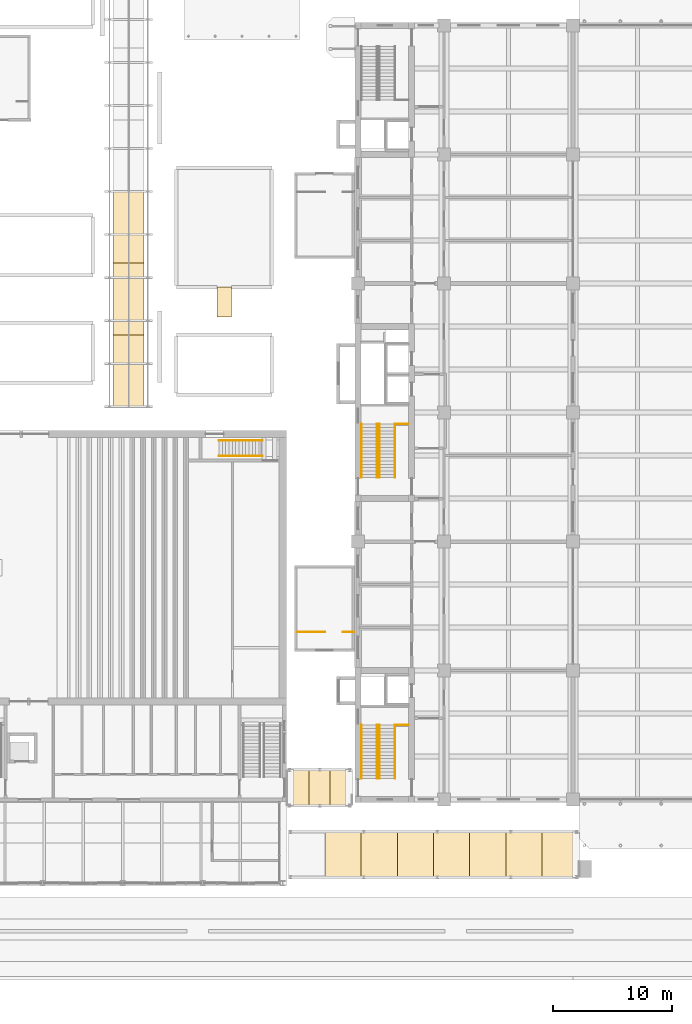
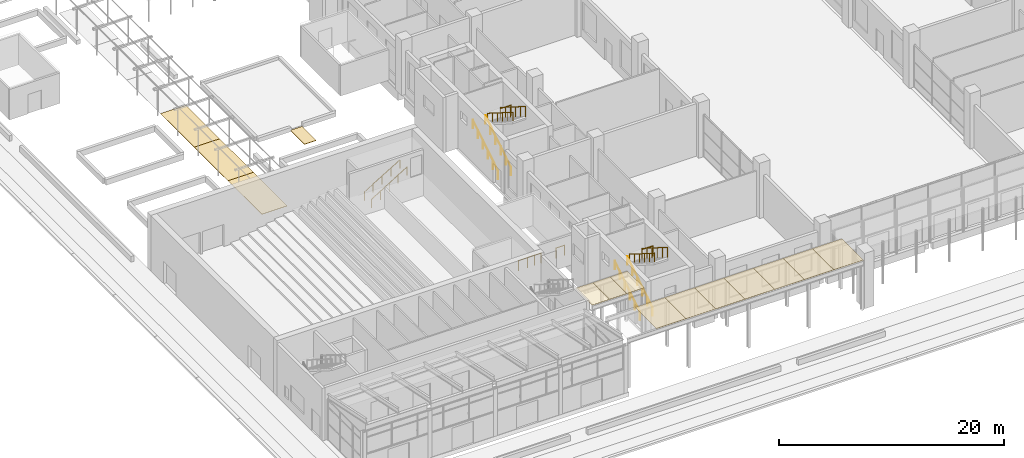
# One storey, part 66 of 71: 15 railings, 14 coverings.
"""IFC4 building model written with IfcOpenShell, lengths in metres."""

from ifc_helpers import new_model, si_unit, direction, frame, origin, origin_2d, place, context, subcontext, project, spatial, polyline, circle, outline, extrude, material, layer, layer_set, type_object, element, save


model = new_model("IFC4")

# Units and contexts
model_context = context("Model", 3, precision=1e-05, world=origin(), true_north=direction((0.0, 1.0)))
body_context = subcontext(model_context, "Body", "Model", "MODEL_VIEW")
ifc_project = project(units=[si_unit("LENGTHUNIT", "METRE"), si_unit("AREAUNIT", "SQUARE_METRE"), si_unit("VOLUMEUNIT", "CUBIC_METRE"), si_unit("PLANEANGLEUNIT", "RADIAN"), si_unit("MASSUNIT", "GRAM", prefix="KILO")], contexts=[model_context])

# Site, building, storey
site_placement = place(None, origin())
site = spatial("IfcSite", under=ifc_project, at=site_placement, CompositionType="ELEMENT")
building_placement = place(site_placement, origin())
building = spatial("IfcBuilding", under=site, at=building_placement, Name="Basin Gate Institute", CompositionType="ELEMENT")
storey_placement = place(building_placement, origin())
storey = spatial("IfcBuildingStorey", under=building, at=storey_placement, Name="L00", CompositionType="ELEMENT", Elevation=0.0)

# Railings
ifc_material_1 = material(Name="Stainless steel tube and glass infill", Category="steel")
railing_type_1 = type_object("IfcRailingType", Name="Block railing 920", PredefinedType="HANDRAIL", material=ifc_material_1)
for number, where, name in (
    (1, (49.56005859375, 63.87255859375, 0.17138671875), "Handrail ST-T7"),
    (2, (49.56005859375, 65.152587890625, 0.17138671875), "Handrail ST-T7"),
):
    element("IfcRailing", number, at=place(storey_placement, frame(where)), inside=storey, type_object=railing_type_1, material=ifc_material_1, Name=name, PredefinedType="HANDRAIL", context=body_context, shape_type="SweptSolid", body=[
        extrude(circle(Radius=0.02392578125, at=origin_2d()), frame((0.0, 0.0, 0.89599609375), z_axis=(0.852850264322, 0.0, 0.5221555579), x_axis=(0.0, 1.0, 0.0)), (0.0, 0.0, 1.0), 4.267822265625),
        extrude(circle(Radius=0.02099609375, at=origin_2d()), origin(), (0.0, 0.0, 1.0), 0.871826171875),
        extrude(circle(Radius=0.02099609375, at=origin_2d()), frame((0.909912109375, 0.0, 0.55712890625)), (0.0, 0.0, 1.0), 0.871826171875),
        extrude(circle(Radius=0.02099609375, at=origin_2d()), frame((1.81982421875, 0.0, 1.1142578125)), (0.0, 0.0, 1.0), 0.871826171875),
        extrude(circle(Radius=0.02099609375, at=origin_2d()), frame((2.72998046875, 0.0, 1.67138671875)), (0.0, 0.0, 1.0), 0.871826171875),
        extrude(circle(Radius=0.02099609375, at=origin_2d()), frame((3.639892578125, 0.0, 2.228515625)), (0.0, 0.0, 1.0), 0.871826171875),
    ])

# Coverings
ifc_material_2 = material(Name="Laminated toughened glass", Category="glass")
ifc_layer_1 = layer(ifc_material_2, 0.030029296875)
ifc_layer_set_1 = layer_set([ifc_layer_1], Name="Canopy glazing panel PN91")
covering_type_1 = type_object("IfcCoveringType", Name="Canopy glazing panel PN91", PredefinedType="ROOFING", material=ifc_layer_set_1)
covering_1_placement = place(storey_placement, frame((55.300048828125, 34.60009765625, 5.330078125), z_axis=(0.0, 0.0, 1.0), x_axis=(1.0, 0.0, 0.0)))
element("IfcCovering", 3, at=covering_1_placement, inside=storey, type_object=covering_type_1, material=ifc_layer_set_1, Name="West court passage glazing panel 1", PredefinedType="ROOFING", context=body_context, shape_type="SweptSolid", body=[
    extrude(outline(polyline([(0.0, 0.0), (1.783203125, 0.0), (1.783203125, 3.0), (0.0, 3.0), (0.0, 0.0)])), origin(), (0.0, 0.0, -1.0), 0.030029296875),
])
covering_2_placement = place(storey_placement, frame((57.083251953125, 34.60009765625, 5.330078125), z_axis=(0.0, 0.0, 1.0), x_axis=(1.0, 0.0, 0.0)))
element("IfcCovering", 4, at=covering_2_placement, inside=storey, type_object=covering_type_1, material=ifc_layer_set_1, Name="West court passage glazing panel 2", PredefinedType="ROOFING", context=body_context, shape_type="SweptSolid", body=[
    extrude(outline(polyline([(0.0, 0.0), (1.783447265625, 0.0), (1.783447265625, 3.0), (0.0, 3.0), (0.0, 0.0)])), origin(), (0.0, 0.0, -1.0), 0.030029296875),
])
covering_3_placement = place(storey_placement, frame((58.86669921875, 34.60009765625, 5.330078125), z_axis=(0.0, 0.0, 1.0), x_axis=(1.0, 0.0, 0.0)))
element("IfcCovering", 5, at=covering_3_placement, inside=storey, type_object=covering_type_1, material=ifc_layer_set_1, Name="West court passage glazing panel 3", PredefinedType="ROOFING", context=body_context, shape_type="SweptSolid", body=[
    extrude(outline(polyline([(0.0, 0.0), (1.783203125, 0.0), (1.783203125, 3.0), (0.0, 3.0), (0.0, 0.0)])), origin(), (0.0, 0.0, -1.0), 0.030029296875),
])
for number, where, z_axis, x_axis, name in (
    (6, (58.43115234375, 28.60009765625, 5.330078125), (0.0, 0.0, 1.0), (1.0, 0.0, 0.0), "Forecourt canopy glazing panel 2"),
    (7, (61.46240234375, 28.60009765625, 5.330078125), (0.0, 0.0, 1.0), (1.0, 0.0, 0.0), "Forecourt canopy glazing panel 3"),
    (8, (64.49365234375, 28.60009765625, 5.330078125), (0.0, 0.0, 1.0), (1.0, 0.0, 0.0), "Forecourt canopy glazing panel 4"),
    (9, (67.52490234375, 28.60009765625, 5.330078125), (0.0, 0.0, 1.0), (1.0, 0.0, 0.0), "Forecourt canopy glazing panel 5"),
    (10, (70.55615234375, 28.60009765625, 5.330078125), (0.0, 0.0, 1.0), (1.0, 0.0, 0.0), "Forecourt canopy glazing panel 6"),
    (11, (73.58740234375, 28.60009765625, 5.330078125), (0.0, 0.0, 1.0), (1.0, 0.0, 0.0), "Forecourt canopy glazing panel 7"),
    (12, (76.61865234375, 28.60009765625, 5.330078125), (0.0, 0.0, 1.0), (1.0, 0.0, 0.0), "Forecourt canopy glazing panel 8"),
):
    element("IfcCovering", number, at=place(storey_placement, frame(where, z_axis=z_axis, x_axis=x_axis)), inside=storey, type_object=covering_type_1, material=ifc_layer_set_1, Name=name, PredefinedType="ROOFING", context=body_context, shape_type="SweptSolid", body=[
        extrude(outline(polyline([(0.0, 0.0), (3.03125, 0.0), (3.03125, 3.7998046875), (0.0, 3.7998046875), (0.0, 0.0)])), origin(), (0.0, 0.0, -1.0), 0.030029296875),
    ])
ifc_material_3 = material(Name="Concrete block paving", Category="concrete")
ifc_layer_2 = layer(ifc_material_3, 0.0400390625)
ifc_layer_set_2 = layer_set([ifc_layer_2], Name="Concrete block paving")
covering_type_2 = type_object("IfcCoveringType", Name="Concrete block paving FB4", PredefinedType="FLOORING", material=ifc_layer_set_2)
covering_4_placement = place(storey_placement, origin())
element("IfcCovering", 13, at=covering_4_placement, inside=storey, type_object=covering_type_2, material=ifc_layer_set_2, Name="Laboratory Garden paving walk band 2", PredefinedType="FLOORING", context=body_context, shape_type="SweptSolid", body=[
    extrude(outline(polyline([(40.699951171875, 74.0), (43.300048828125, 74.0), (43.300048828125, 80.0), (40.699951171875, 80.0), (40.699951171875, 74.0)])), origin(), (0.0, 0.0, 1.0), 0.0400390625),
])
ifc_material_4 = material(Name="Granite paving", Category="masonry")
ifc_layer_3 = layer(ifc_material_4, 0.0400390625)
ifc_layer_set_3 = layer_set([ifc_layer_3], Name="Granite paving FB3")
covering_type_3 = type_object("IfcCoveringType", Name="Granite paving FB3", PredefinedType="FLOORING", material=ifc_layer_set_3)
covering_5_placement = place(storey_placement, origin())
element("IfcCovering", 14, at=covering_5_placement, inside=storey, type_object=covering_type_3, material=ifc_layer_set_3, Name="Laboratory Garden paving walk band 1", PredefinedType="FLOORING", context=body_context, shape_type="SweptSolid", body=[
    extrude(outline(polyline([(40.699951171875, 68.0), (43.300048828125, 68.0), (43.300048828125, 74.0), (40.699951171875, 74.0), (40.699951171875, 68.0)])), origin(), (0.0, 0.0, 1.0), 0.0400390625),
])
covering_6_placement = place(storey_placement, origin())
element("IfcCovering", 15, at=covering_6_placement, inside=storey, type_object=covering_type_3, material=ifc_layer_set_3, Name="Laboratory Garden paving walk band 3", PredefinedType="FLOORING", context=body_context, shape_type="SweptSolid", body=[
    extrude(outline(polyline([(40.699951171875, 80.0), (43.300048828125, 80.0), (43.300048828125, 86.0), (40.699951171875, 86.0), (40.699951171875, 80.0)])), origin(), (0.0, 0.0, 1.0), 0.0400390625),
])
ifc_material_5 = material(Name="Granite paving", Category="masonry")
ifc_layer_4 = layer(ifc_material_5, 0.0400390625)
ifc_layer_set_4 = layer_set([ifc_layer_4], Name="Overflow channel paving FB6")
covering_type_4 = type_object("IfcCoveringType", Name="Overflow channel paving FB6", PredefinedType="FLOORING", material=ifc_layer_set_4)
covering_7_placement = place(storey_placement, origin())
element("IfcCovering", 16, at=covering_7_placement, inside=storey, type_object=covering_type_4, material=ifc_layer_set_4, Name="Laboratory Garden rain garden 1 overflow channel", PredefinedType="FLOORING", context=body_context, shape_type="SweptSolid", body=[
    extrude(outline(polyline([(49.39990234375, 75.5), (50.60009765625, 75.5), (50.60009765625, 78.0), (49.39990234375, 78.0), (49.39990234375, 75.5)])), origin(), (0.0, 0.0, 1.0), 0.0400390625),
])

# Railings
ifc_material_6 = material(Name="Stainless steel", Category="steel")
railing_type_2 = type_object("IfcRailingType", Name="Stair guard GR1", PredefinedType="GUARDRAIL", material=ifc_material_6)
for number, where, name in (
    (17, (64.300048828125, 41.330078125, 3.176513671875), "Stair guard GR1 WS GD1"),
    (18, (64.300048828125, 66.530029296875, 3.176513671875), "Stair guard GR1 WM GD1"),
):
    element("IfcRailing", number, at=place(storey_placement, frame(where)), inside=storey, type_object=railing_type_2, material=ifc_material_6, Name=name, PredefinedType="GUARDRAIL", context=body_context, shape_type="SweptSolid", body=[
        extrude(circle(Radius=0.02392578125, at=origin_2d()), frame((0.0, 0.0, 1.076171875), z_axis=(0.0, -0.845997938375, 0.533186166611), x_axis=(1.0, 0.0, 0.0)), (0.0, 0.0, 1.0), 5.29541015625),
        extrude(circle(Radius=0.02099609375, at=origin_2d()), origin(), (0.0, 0.0, 1.0), 1.052001953125),
        extrude(circle(Radius=0.02099609375, at=origin_2d()), frame((0.0, -0.89599609375, 0.564697265625)), (0.0, 0.0, 1.0), 1.052001953125),
        extrude(circle(Radius=0.02099609375, at=origin_2d()), frame((0.0, -1.7919921875, 1.12939453125)), (0.0, 0.0, 1.0), 1.052001953125),
        extrude(circle(Radius=0.02099609375, at=origin_2d()), frame((0.0, -2.68798828125, 1.694091796875)), (0.0, 0.0, 1.0), 1.052001953125),
        extrude(circle(Radius=0.02099609375, at=origin_2d()), frame((0.0, -3.583984375, 2.2587890625)), (0.0, 0.0, 1.0), 1.052001953125),
        extrude(circle(Radius=0.02099609375, at=origin_2d()), frame((0.0, -4.47998046875, 2.823486328125)), (0.0, 0.0, 1.0), 1.052001953125),
    ])
railing_1_placement = place(storey_placement, frame((57.050048828125, 49.1201171875, 0.0)))
element("IfcRailing", 19, at=railing_1_placement, inside=storey, type_object=railing_type_2, material=ifc_material_6, Name="Stair guard GR1 BS1 GD4-B1", PredefinedType="GUARDRAIL", context=body_context, shape_type="SweptSolid", body=[
    extrude(circle(Radius=0.02392578125, at=origin_2d()), frame((0.0, 0.0, 1.076171875), z_axis=(1.0, 0.0, 0.0), x_axis=(0.0, 1.0, 0.0)), (0.0, 0.0, 1.0), 1.39990234375),
    extrude(circle(Radius=0.02099609375, at=origin_2d()), origin(), (0.0, 0.0, 1.0), 1.052001953125),
    extrude(circle(Radius=0.02099609375, at=origin_2d()), frame((0.699951171875, 0.0, 0.0)), (0.0, 0.0, 1.0), 1.052001953125),
    extrude(circle(Radius=0.02099609375, at=origin_2d()), frame((1.39990234375, 0.0, 0.0)), (0.0, 0.0, 1.0), 1.052001953125),
])
railing_2_placement = place(storey_placement, frame((56.1298828125, 49.1201171875, 0.0)))
element("IfcRailing", 20, at=railing_2_placement, inside=storey, type_object=railing_type_2, material=ifc_material_6, Name="Stair guard GR1 BS1 GD4b-B1", PredefinedType="GUARDRAIL", context=body_context, shape_type="SweptSolid", body=[
    extrude(circle(Radius=0.02392578125, at=origin_2d()), frame((0.0, 0.0, 1.076171875), z_axis=(1.0, 0.0, 0.0), x_axis=(0.0, 1.0, 0.0)), (0.0, 0.0, 1.0), 0.920166015625),
    extrude(circle(Radius=0.02099609375, at=origin_2d()), origin(), (0.0, 0.0, 1.0), 1.052001953125),
    extrude(circle(Radius=0.02099609375, at=origin_2d()), frame((0.920166015625, 0.0, 0.0)), (0.0, 0.0, 1.0), 1.052001953125),
])
railing_3_placement = place(storey_placement, frame((59.949951171875, 49.1201171875, 0.0)))
element("IfcRailing", 21, at=railing_3_placement, inside=storey, type_object=railing_type_2, material=ifc_material_6, Name="Stair guard GR1 BS1 GD5-B1", PredefinedType="GUARDRAIL", context=body_context, shape_type="SweptSolid", body=[
    extrude(circle(Radius=0.02392578125, at=origin_2d()), frame((0.0, 0.0, 1.076171875), z_axis=(1.0, 0.0, 0.0), x_axis=(0.0, 1.0, 0.0)), (0.0, 0.0, 1.0), 0.900146484375),
    extrude(circle(Radius=0.02099609375, at=origin_2d()), origin(), (0.0, 0.0, 1.0), 1.052001953125),
    extrude(circle(Radius=0.02099609375, at=origin_2d()), frame((0.900146484375, 0.0, 0.0)), (0.0, 0.0, 1.0), 1.052001953125),
])
ifc_material_7 = material(Name="Stainless steel", Category="steel")
railing_type_3 = type_object("IfcRailingType", Name="Stair guard GR3", PredefinedType="GUARDRAIL", material=ifc_material_7)
for number, where, name in (
    (22, (64.300048828125, 41.330078125, 3.0), "Stair guard GR3 WS GD2"),
    (23, (64.300048828125, 66.530029296875, 3.0), "Stair guard GR3 WM GD2"),
):
    element("IfcRailing", number, at=place(storey_placement, frame(where)), inside=storey, type_object=railing_type_3, material=ifc_material_7, Name=name, PredefinedType="GUARDRAIL", context=body_context, shape_type="SweptSolid", body=[
        extrude(circle(Radius=0.02392578125, at=origin_2d()), frame((0.0, 0.0, 1.1259765625), z_axis=(1.0, 0.0, 0.0), x_axis=(0.0, 1.0, 0.0)), (0.0, 0.0, 1.0), 1.119873046875),
        extrude(circle(Radius=0.02099609375, at=origin_2d()), origin(), (0.0, 0.0, 1.0), 1.101806640625),
        extrude(circle(Radius=0.02099609375, at=origin_2d()), frame((1.119873046875, 0.0, 0.0)), (0.0, 0.0, 1.0), 1.101806640625),
    ])
ifc_material_8 = material(Name="Stainless steel", Category="steel")
railing_type_4 = type_object("IfcRailingType", Name="Stair handrail HR1", PredefinedType="HANDRAIL", material=ifc_material_8)
for number, where, name in (
    (24, (61.5, 36.85009765625, 0.176513671875), "Stair handrail HR1 WS HR1"),
    (25, (62.800048828125, 36.85009765625, 0.176513671875), "Stair handrail HR1 WS HR2"),
):
    element("IfcRailing", number, at=place(storey_placement, frame(where)), inside=storey, type_object=railing_type_4, material=ifc_material_8, Name=name, PredefinedType="HANDRAIL", context=body_context, shape_type="SweptSolid", body=[
        extrude(circle(Radius=0.02392578125, at=origin_2d()), frame((0.0, 0.0, 0.89599609375), z_axis=(0.0, 0.845997938375, 0.533186166611), x_axis=(-1.0, 0.0, 0.0)), (0.0, 0.0, 1.0), 5.29541015625),
        extrude(circle(Radius=0.02099609375, at=origin_2d()), origin(), (0.0, 0.0, 1.0), 0.871826171875),
        extrude(circle(Radius=0.02099609375, at=origin_2d()), frame((0.0, 0.89599609375, 0.564697265625)), (0.0, 0.0, 1.0), 0.871826171875),
        extrude(circle(Radius=0.02099609375, at=origin_2d()), frame((0.0, 1.7919921875, 1.12939453125)), (0.0, 0.0, 1.0), 0.871826171875),
        extrude(circle(Radius=0.02099609375, at=origin_2d()), frame((0.0, 2.68798828125, 1.694091796875)), (0.0, 0.0, 1.0), 0.871826171875),
        extrude(circle(Radius=0.02099609375, at=origin_2d()), frame((0.0, 3.583984375, 2.2587890625)), (0.0, 0.0, 1.0), 0.871826171875),
        extrude(circle(Radius=0.02099609375, at=origin_2d()), frame((0.0, 4.47998046875, 2.823486328125)), (0.0, 0.0, 1.0), 0.871826171875),
    ])
railing_4_placement = place(storey_placement, frame((63.0, 41.330078125, 3.176513671875)))
element("IfcRailing", 26, at=railing_4_placement, inside=storey, type_object=railing_type_4, material=ifc_material_8, Name="Stair handrail HR1 WS HR3", PredefinedType="HANDRAIL", context=body_context, shape_type="SweptSolid", body=[
    extrude(circle(Radius=0.02392578125, at=origin_2d()), frame((0.0, 0.0, 0.89599609375), z_axis=(0.0, -0.845997938375, 0.533186166611), x_axis=(1.0, 0.0, 0.0)), (0.0, 0.0, 1.0), 5.29541015625),
    extrude(circle(Radius=0.02099609375, at=origin_2d()), origin(), (0.0, 0.0, 1.0), 0.871826171875),
    extrude(circle(Radius=0.02099609375, at=origin_2d()), frame((0.0, -0.89599609375, 0.564697265625)), (0.0, 0.0, 1.0), 0.871826171875),
    extrude(circle(Radius=0.02099609375, at=origin_2d()), frame((0.0, -1.7919921875, 1.12939453125)), (0.0, 0.0, 1.0), 0.871826171875),
    extrude(circle(Radius=0.02099609375, at=origin_2d()), frame((0.0, -2.68798828125, 1.694091796875)), (0.0, 0.0, 1.0), 0.871826171875),
    extrude(circle(Radius=0.02099609375, at=origin_2d()), frame((0.0, -3.583984375, 2.2587890625)), (0.0, 0.0, 1.0), 0.871826171875),
    extrude(circle(Radius=0.02099609375, at=origin_2d()), frame((0.0, -4.47998046875, 2.823486328125)), (0.0, 0.0, 1.0), 0.871826171875),
])
for number, where, name in (
    (27, (61.5, 62.050048828125, 0.176513671875), "Stair handrail HR1 WM HR1"),
    (28, (62.800048828125, 62.050048828125, 0.176513671875), "Stair handrail HR1 WM HR2"),
):
    element("IfcRailing", number, at=place(storey_placement, frame(where)), inside=storey, type_object=railing_type_4, material=ifc_material_8, Name=name, PredefinedType="HANDRAIL", context=body_context, shape_type="SweptSolid", body=[
        extrude(circle(Radius=0.02392578125, at=origin_2d()), frame((0.0, 0.0, 0.89599609375), z_axis=(0.0, 0.845997938375, 0.533186166611), x_axis=(-1.0, 0.0, 0.0)), (0.0, 0.0, 1.0), 5.29541015625),
        extrude(circle(Radius=0.02099609375, at=origin_2d()), origin(), (0.0, 0.0, 1.0), 0.871826171875),
        extrude(circle(Radius=0.02099609375, at=origin_2d()), frame((0.0, 0.89599609375, 0.564697265625)), (0.0, 0.0, 1.0), 0.871826171875),
        extrude(circle(Radius=0.02099609375, at=origin_2d()), frame((0.0, 1.7919921875, 1.12939453125)), (0.0, 0.0, 1.0), 0.871826171875),
        extrude(circle(Radius=0.02099609375, at=origin_2d()), frame((0.0, 2.68798828125, 1.694091796875)), (0.0, 0.0, 1.0), 0.871826171875),
        extrude(circle(Radius=0.02099609375, at=origin_2d()), frame((0.0, 3.583984375, 2.2587890625)), (0.0, 0.0, 1.0), 0.871826171875),
        extrude(circle(Radius=0.02099609375, at=origin_2d()), frame((0.0, 4.47998046875, 2.823486328125)), (0.0, 0.0, 1.0), 0.871826171875),
    ])
railing_5_placement = place(storey_placement, frame((63.0, 66.530029296875, 3.176513671875)))
element("IfcRailing", 29, at=railing_5_placement, inside=storey, type_object=railing_type_4, material=ifc_material_8, Name="Stair handrail HR1 WM HR3", PredefinedType="HANDRAIL", context=body_context, shape_type="SweptSolid", body=[
    extrude(circle(Radius=0.02392578125, at=origin_2d()), frame((0.0, 0.0, 0.89599609375), z_axis=(0.0, -0.845997938375, 0.533186166611), x_axis=(1.0, 0.0, 0.0)), (0.0, 0.0, 1.0), 5.29541015625),
    extrude(circle(Radius=0.02099609375, at=origin_2d()), origin(), (0.0, 0.0, 1.0), 0.871826171875),
    extrude(circle(Radius=0.02099609375, at=origin_2d()), frame((0.0, -0.89599609375, 0.564697265625)), (0.0, 0.0, 1.0), 0.871826171875),
    extrude(circle(Radius=0.02099609375, at=origin_2d()), frame((0.0, -1.7919921875, 1.12939453125)), (0.0, 0.0, 1.0), 0.871826171875),
    extrude(circle(Radius=0.02099609375, at=origin_2d()), frame((0.0, -2.68798828125, 1.694091796875)), (0.0, 0.0, 1.0), 0.871826171875),
    extrude(circle(Radius=0.02099609375, at=origin_2d()), frame((0.0, -3.583984375, 2.2587890625)), (0.0, 0.0, 1.0), 0.871826171875),
    extrude(circle(Radius=0.02099609375, at=origin_2d()), frame((0.0, -4.47998046875, 2.823486328125)), (0.0, 0.0, 1.0), 0.871826171875),
])

save(model, "model.ifc")
